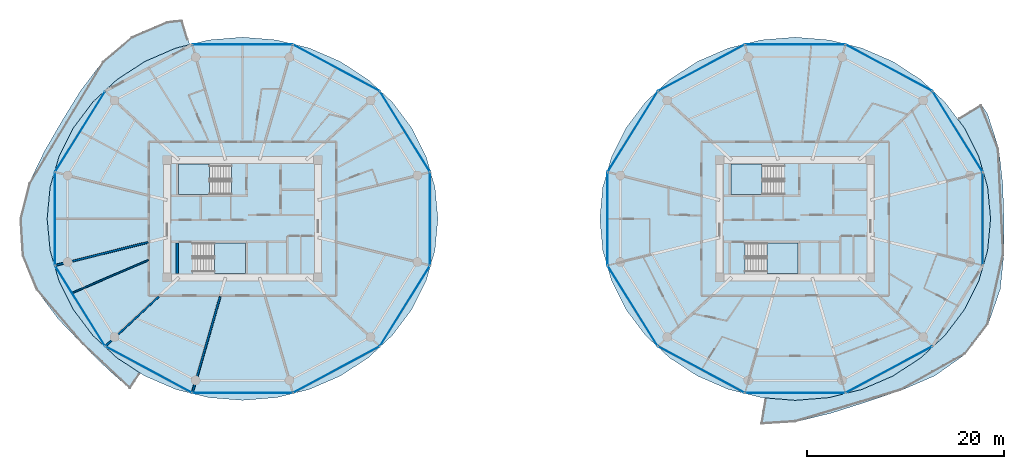
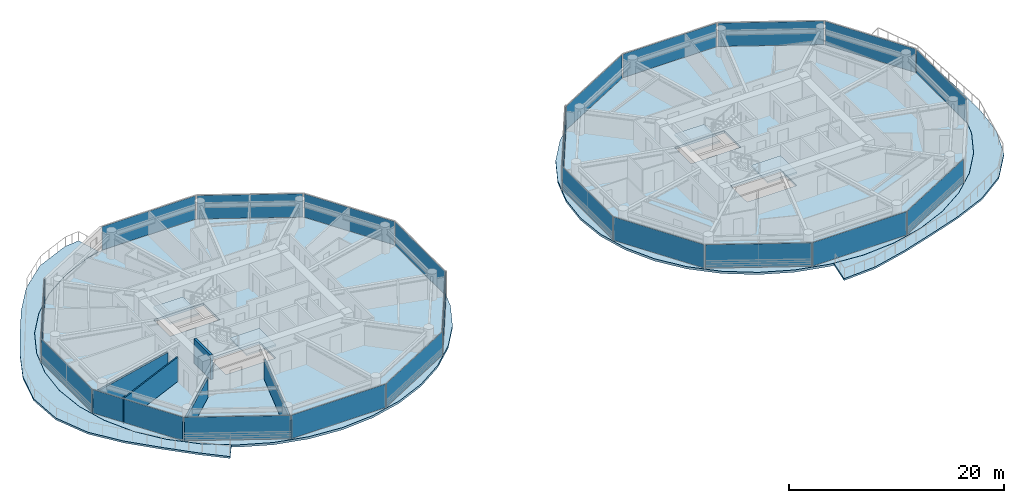
# One storey, part 14 of 27: 22 plates, 8 slabs, 5 walls, 26 elements without a shape of their own.
"""IFC4 building model written with IfcOpenShell, lengths in metres."""

import ifcopenshell
import ifcopenshell.guid

model = None  # the IFC model being written
_history = None  # IfcOwnerHistory: only IFC2X3 demands one
_inside = {}  # id of a spatial element -> (the spatial element, [elements in it])
_under = {}  # id of a project, library or spatial element -> (it, [spatial elements below it])
_declared = {}  # id of a project -> (the project, [libraries it declares])
_typed = {}  # id of a type object -> (the type object, [elements of that type])
_made_of = {}  # id of a material, layer set ... -> (it, [elements and type objects made of it])


def new_model(schema):
    """Start an empty IFC model of exactly this schema.

    Asked for "IFC4X3", IfcOpenShell would pick the latest addendum, in which some entities
    have other attributes; the version numbers below select the first issue.
    IFC2X3 requires an IfcOwnerHistory on every rooted entity: one is made here for all.
    """
    global model, _history
    if schema == "IFC4X3":
        model = ifcopenshell.file(schema_version=(4, 3, 0, 0))
    else:
        model = ifcopenshell.file(schema=schema)
    _inside.clear()
    _under.clear()
    _declared.clear()
    _typed.clear()
    _made_of.clear()
    _history = None
    if model.schema == "IFC2X3":
        org = make("IfcOrganization", Name="unknown")
        user = make(
            "IfcPersonAndOrganization",
            ThePerson=make("IfcPerson", FamilyName="unknown"),
            TheOrganization=org,
        )
        app = make(
            "IfcApplication",
            ApplicationDeveloper=org,
            Version="unknown",
            ApplicationFullName="unknown",
            ApplicationIdentifier="unknown",
        )
        _history = make(
            "IfcOwnerHistory",
            OwningUser=user,
            OwningApplication=app,
            ChangeAction="ADDED",
            CreationDate=0,
        )
    return model


def make(cls, **values):
    """One entity of the class cls with the attributes given. An attribute that is None is left unset."""
    return model.create_entity(
        cls, **{name: value for name, value in values.items() if value is not None}
    )


def rooted(cls, **values):
    """An entity with a GlobalId (a new one), such as an element, a storey or a relation."""
    return make(cls, GlobalId=ifcopenshell.guid.new(), OwnerHistory=_history, **values)


def si_unit(unit_type, name, prefix=None):
    """IfcSIUnit, for example si_unit("LENGTHUNIT", "METRE", prefix="MILLI")."""
    return make("IfcSIUnit", UnitType=unit_type, Prefix=prefix, Name=name)


def assignment(units):
    """IfcUnitAssignment: the units of a project."""
    return None if units is None else make("IfcUnitAssignment", Units=units)


def point(xyz):
    """IfcCartesianPoint."""
    return None if xyz is None else make("IfcCartesianPoint", Coordinates=xyz)


def direction(xyz):
    """IfcDirection."""
    return None if xyz is None else make("IfcDirection", DirectionRatios=xyz)


def frame(location, z_axis=None, x_axis=None):
    """IfcAxis2Placement3D, a coordinate frame: its origin and axes. An axis left out is left unset."""
    return make(
        "IfcAxis2Placement3D",
        Location=point(location),
        Axis=direction(z_axis),
        RefDirection=direction(x_axis),
    )


def frame_2d(location, x_axis=None):
    """IfcAxis2Placement2D, a coordinate frame in the plane: its origin and x axis."""
    return make(
        "IfcAxis2Placement2D", Location=point(location), RefDirection=direction(x_axis)
    )


def origin():
    """The frame at (0, 0, 0) with its axes left unset."""
    return frame((0.0, 0.0, 0.0))


def origin_2d():
    """The frame at (0, 0) in the plane with its x axis left unset."""
    return frame_2d((0.0, 0.0))


def place(relative_to, where):
    """IfcLocalPlacement: puts the frame where relative to a parent placement (None: the world)."""
    return make(
        "IfcLocalPlacement", PlacementRelTo=relative_to, RelativePlacement=where
    )


def context(
    kind, dimensions, precision=None, world=None, true_north=None, identifier=None
):
    """IfcGeometricRepresentationContext, for example the 3D "Model" context."""
    return make(
        "IfcGeometricRepresentationContext",
        ContextIdentifier=identifier,
        ContextType=kind,
        CoordinateSpaceDimension=dimensions,
        Precision=precision,
        WorldCoordinateSystem=world,
        TrueNorth=true_north,
    )


def subcontext(parent, identifier, kind, view, scale=None):
    """IfcGeometricRepresentationSubContext, for example "Body" below "Model"."""
    return make(
        "IfcGeometricRepresentationSubContext",
        ContextIdentifier=identifier,
        ContextType=kind,
        ParentContext=parent,
        TargetScale=scale,
        TargetView=view,
    )


def project(units=None, contexts=None):
    """IfcProject with its units and contexts."""
    return rooted(
        "IfcProject",
        Name="project",
        RepresentationContexts=contexts,
        UnitsInContext=assignment(units),
    )


def spatial(cls, under=None, at=None, **own):
    """A site, building, storey or space (cls), placed at a placement, below another one or the project."""
    s = rooted(cls, ObjectPlacement=at, **own)
    if under is not None:
        _under.setdefault(under.id(), (under, []))[1].append(s)
    return s


def polyline(points):
    """IfcPolyline through the points."""
    return make("IfcPolyline", Points=[point(p) for p in points])


def profile(cls, at=None, kind="AREA", **sizes):
    """A parametric profile (cls). Its sizes go by their IFC names, for example OverallWidth=200.0."""
    return make(cls, ProfileType=kind, Position=at, **sizes)


def rectangle(**sizes):
    """IfcRectangleProfileDef."""
    return profile("IfcRectangleProfileDef", **sizes)


def outline(outer, holes=None, kind="AREA"):
    """IfcArbitraryClosedProfileDef: a profile drawn as a closed curve; with holes, ...WithVoids."""
    if holes is None:
        return make("IfcArbitraryClosedProfileDef", ProfileType=kind, OuterCurve=outer)
    return make(
        "IfcArbitraryProfileDefWithVoids",
        ProfileType=kind,
        OuterCurve=outer,
        InnerCurves=holes,
    )


def extrude(swept, where, along, depth):
    """IfcExtrudedAreaSolid: the profile swept, set in the frame where, extruded along a direction by depth."""
    return make(
        "IfcExtrudedAreaSolid",
        SweptArea=swept,
        Position=where,
        ExtrudedDirection=direction(along),
        Depth=depth,
    )


def shape(context_of_items, identifier, shape_type, items):
    """IfcShapeRepresentation: the items that make up one representation, for example the "Body"."""
    return make(
        "IfcShapeRepresentation",
        ContextOfItems=context_of_items,
        RepresentationIdentifier=identifier,
        RepresentationType=shape_type,
        Items=items,
    )


def source(mapping_origin, context_of_items, identifier, shape_type, items):
    """IfcRepresentationMap: a shape defined once, which mapped items show again and again."""
    return make(
        "IfcRepresentationMap",
        MappingOrigin=mapping_origin,
        MappedRepresentation=shape(context_of_items, identifier, shape_type, items),
    )


def transform(
    local_origin,
    x_axis=None,
    y_axis=None,
    z_axis=None,
    scale=None,
    scale2=None,
    scale3=None,
    uniform=True,
):
    """IfcCartesianTransformationOperator3D, or its non-uniform kind. x_axis, y_axis, z_axis: its Axis1, 2, 3."""
    if uniform:
        return make(
            "IfcCartesianTransformationOperator3D",
            Axis1=direction(x_axis),
            Axis2=direction(y_axis),
            LocalOrigin=point(local_origin),
            Scale=scale,
            Axis3=direction(z_axis),
        )
    return make(
        "IfcCartesianTransformationOperator3DnonUniform",
        Axis1=direction(x_axis),
        Axis2=direction(y_axis),
        LocalOrigin=point(local_origin),
        Scale=scale,
        Axis3=direction(z_axis),
        Scale2=scale2,
        Scale3=scale3,
    )


def mapped(mapping_source, mapping_target):
    """IfcMappedItem: shows the shape of a source again, moved by a transform."""
    return make(
        "IfcMappedItem", MappingSource=mapping_source, MappingTarget=mapping_target
    )


def material(Name=None, Category=None):
    """IfcMaterial."""
    return make("IfcMaterial", Name=Name, Category=Category)


def layer(
    of_material, thickness, ventilated=None, Name=None, Category=None, Priority=None
):
    """IfcMaterialLayer: one layer of a wall or slab, of a material (None: an air gap)."""
    return make(
        "IfcMaterialLayer",
        Material=of_material,
        LayerThickness=thickness,
        IsVentilated=ventilated,
        Name=Name,
        Category=Category,
        Priority=Priority,
    )


def layer_set(layers, Name=None):
    """IfcMaterialLayerSet."""
    return make("IfcMaterialLayerSet", MaterialLayers=layers, LayerSetName=Name)


def made_of(thing, what):
    """Note that an element or type object is made of a material, layer set ...; save() writes the relation."""
    if what is not None:
        _made_of.setdefault(what.id(), (what, []))[1].append(thing)
    return thing


def type_object(cls, material=None, **own):
    """A type object (cls), such as IfcWallType, which elements share."""
    return made_of(rooted(cls, **own), material)


def type_shapes(of_type, sources):
    """Give a type object the sources (RepresentationMaps) that its elements show as mapped items."""
    of_type.RepresentationMaps = sources


def element(
    cls,
    number,
    at=None,
    inside=None,
    cuts=None,
    type_object=None,
    material=None,
    context=None,
    identifier="Body",
    shape_type=None,
    held_by="IfcProductDefinitionShape",
    body=None,
    shapes=None,
    **own,
):
    """One element of the class cls, such as IfcWall. Its Tag is "e" and its number.

    at: its placement. inside: the storey or other place that contains it. cuts: it is an
    opening in that element (IfcRelVoidsElement). A single representation is given by context,
    identifier, shape_type and body (its items); several are given by shapes. held_by: the class
    of the entity that holds the representations. save() writes the other relations.
    """
    e = rooted(cls, Tag="e%d" % number, ObjectPlacement=at, **own)
    if body is not None:
        shapes = [shape(context, identifier, shape_type, body)]
    if shapes is not None:
        e.Representation = make(held_by, Representations=shapes)
    if inside is not None:
        _inside.setdefault(inside.id(), (inside, []))[1].append(e)
    if cuts is not None:
        rooted(
            "IfcRelVoidsElement", RelatingBuildingElement=cuts, RelatedOpeningElement=e
        )
    if type_object is not None:
        _typed.setdefault(type_object.id(), (type_object, []))[1].append(e)
    return made_of(e, material)


def aggregate(whole, parts):
    """IfcRelAggregates: a whole, such as a stair, and the parts it consists of."""
    return rooted("IfcRelAggregates", RelatingObject=whole, RelatedObjects=parts)


def save(model, path):
    """Write the relations noted so far, then the file.

    IfcRelAggregates (storeys below a building ...), IfcRelContainedInSpatialStructure (elements
    in a storey), IfcRelDefinesByType, IfcRelAssociatesMaterial and IfcRelDeclares: one each for
    every whole, place, type object, material and project.
    """
    for whole, parts in _under.values():
        aggregate(whole, parts)
    for where, things in _inside.values():
        rooted(
            "IfcRelContainedInSpatialStructure",
            RelatedElements=things,
            RelatingStructure=where,
        )
    for kind, things in _typed.values():
        rooted("IfcRelDefinesByType", RelatedObjects=things, RelatingType=kind)
    for what, things in _made_of.values():
        rooted("IfcRelAssociatesMaterial", RelatedObjects=things, RelatingMaterial=what)
    for by, libraries in _declared.values():
        rooted("IfcRelDeclares", RelatingContext=by, RelatedDefinitions=libraries)
    model.write(path)


model = new_model("IFC4")

# Units and contexts
model_context = context("Model", 3, precision=1e-05, world=origin(), true_north=direction((0.0, 1.0)))
body_context = subcontext(model_context, "Body", "Model", "MODEL_VIEW")
ifc_project = project(units=[si_unit("LENGTHUNIT", "METRE"), si_unit("AREAUNIT", "SQUARE_METRE"), si_unit("VOLUMEUNIT", "CUBIC_METRE"), si_unit("PLANEANGLEUNIT", "RADIAN"), si_unit("MASSUNIT", "GRAM", prefix="KILO")], contexts=[model_context])

# Site, building, storey
site_placement = place(None, origin())
site = spatial("IfcSite", under=ifc_project, at=site_placement, CompositionType="ELEMENT")
building_placement = place(site_placement, origin())
building = spatial("IfcBuilding", under=site, at=building_placement, Name="Norrkilde Senior Care Towers", CompositionType="ELEMENT")
storey_placement = place(building_placement, frame((0.0, 0.0, 33.800048828125)))
storey = spatial("IfcBuildingStorey", under=building, at=storey_placement, Name="L09", CompositionType="ELEMENT", Elevation=33.800048828125)

# Slabs
ifc_material_1 = material(Name="Concrete C50/60", Category="concrete")
ifc_layer_1 = layer(ifc_material_1, 0.215087890625)
ifc_layer_set_1 = layer_set([ifc_layer_1], Name="Concrete C50/60")
slab_type_1 = type_object("IfcSlabType", Name="Sinusoidal Balcony Ribbon Slab 215", PredefinedType="FLOOR", material=ifc_layer_set_1)
slab_1_placement = place(storey_placement, frame((0.0, 0.0, -0.215087890625)))
element("IfcSlab", 1, at=slab_1_placement, inside=storey, type_object=slab_type_1, Name="L09 Drum W Swirling Senior Balcony 1", PredefinedType="FLOOR", context=body_context, shape_type="SweptSolid", body=[
    extrude(outline(polyline([(-44.19189453125, -12.752197265625), (-46.6845703125, -10.155029296875), (-48.90087890625, -7.192138671875), (-50.32568359375, -3.7314453125), (-50.552001953125, 0.0), (-49.64013671875, 3.601318359375), (-48.0654296875, 6.86474609375), (-46.297607421875, 9.91455078125), (-44.423095703125, 12.9609375), (-42.165283203125, 15.939453125), (-39.2392578125, 18.43115234375), (-35.676025390625, 19.963134765625), (-34.10693359375, 20.1416015625), (-33.351318359375, 17.649169921875), (-34.773681640625, 17.294921875), (-37.902587890625, 15.939208984375), (-40.73046875, 14.09912109375), (-43.171630859375, 11.83056640625), (-45.151611328125, 9.202392578125), (-46.610595703125, 6.294921875), (-47.504150390625, 3.196044921875), (-47.804931640625, 0.0), (-47.504150390625, -3.196044921875), (-46.610595703125, -6.294921875), (-45.151611328125, -9.202392578125), (-43.171630859375, -11.83056640625), (-40.73046875, -14.09912109375), (-38.34228515625, -15.653076171875), (-39.402587890625, -17.2578125), (-41.638916015625, -15.264404296875), (-44.19189453125, -12.752197265625)])), origin(), (0.0, 0.0, 1.0), 0.215087890625),
])
slab_2_placement = place(storey_placement, frame((0.0, 0.0, -0.215087890625)))
element("IfcSlab", 2, at=slab_2_placement, inside=storey, type_object=slab_type_1, Name="L09 Drum E Swirling Senior Balcony 1", PredefinedType="FLOOR", context=body_context, shape_type="SweptSolid", body=[
    extrude(outline(polyline([(47.5537109375, -10.695068359375), (45.261962890625, -13.71826171875), (42.149169921875, -15.9189453125), (38.689208984375, -17.406005859375), (35.205078125, -18.571044921875), (31.69482421875, -19.686279296875), (28.0, -20.60595703125), (24.51220703125, -20.826416015625), (24.958984375, -18.15771484375), (28.0, -18.405029296875), (31.439208984375, -18.12548828125), (34.773681640625, -17.294921875), (37.902587890625, -15.939208984375), (40.73046875, -14.09912109375), (43.171630859375, -11.83056640625), (45.151611328125, -9.202392578125), (46.610595703125, -6.294921875), (47.504150390625, -3.196044921875), (47.804931640625, 0.0), (47.504150390625, 3.196044921875), (46.610595703125, 6.294921875), (45.151611328125, 9.202392578125), (44.4658203125, 10.11279296875), (46.83935546875, 11.570556640625), (47.48486328125, 10.65234375), (48.635009765625, 7.087890625), (49.039306640625, 3.4873046875), (49.154296875, 0.0), (49.1611328125, -3.510498046875), (48.783447265625, -7.14599609375), (47.5537109375, -10.695068359375)])), origin(), (0.0, 0.0, 1.0), 0.215087890625),
])

# Stair, slab
ifc_material_2 = material(Name="Concrete C45/55", Category="concrete")
stair_type = type_object("IfcStairType", Name="Core Protected Dogleg Stair Typical 3050", PredefinedType="HALF_TURN_STAIR", material=ifc_material_2)
stair_1_placement = place(storey_placement, origin())
stair_1 = element("IfcStair", 3, at=stair_1_placement, inside=storey, type_object=stair_type, Name="L09 Protected Core Stair W1", PredefinedType="HALF_TURN_STAIR")
ifc_layer_2 = layer(ifc_material_2, 0.199951171875)
ifc_layer_set_2 = layer_set([ifc_layer_2], Name="Concrete C45/55")
slab_type_2 = type_object("IfcSlabType", Name="Stair Landing Slab 200", PredefinedType="LANDING", material=ifc_layer_set_2)
slab_3_placement = place(storey_placement, frame((0.0, 0.0, 1.324951171875)))
slab_3 = element("IfcSlab", 4, at=slab_3_placement, type_object=slab_type_2, Name="ST-W1 landing 1", PredefinedType="LANDING", context=body_context, shape_type="SweptSolid", body=[
    extrude(outline(polyline([(-31.340087890625, 5.52490234375), (-34.5, 5.52490234375), (-34.5, 2.449951171875), (-31.340087890625, 2.449951171875), (-31.340087890625, 5.52490234375)])), origin(), (0.0, 0.0, 1.0), 0.199951171875),
])
aggregate(stair_1, [slab_3])

stair_2_placement = place(storey_placement, origin())
stair_2 = element("IfcStair", 5, at=stair_2_placement, inside=storey, type_object=stair_type, Name="L09 Protected Core Stair W2", PredefinedType="HALF_TURN_STAIR")
slab_4_placement = place(storey_placement, frame((0.0, 0.0, 1.324951171875)))
slab_4 = element("IfcSlab", 6, at=slab_4_placement, type_object=slab_type_2, Name="ST-W2 landing 1", PredefinedType="LANDING", context=body_context, shape_type="SweptSolid", body=[
    extrude(outline(polyline([(-30.860107421875, -5.52490234375), (-27.699951171875, -5.52490234375), (-27.699951171875, -2.449951171875), (-30.860107421875, -2.449951171875), (-30.860107421875, -5.52490234375)])), origin(), (0.0, 0.0, 1.0), 0.199951171875),
])
aggregate(stair_2, [slab_4])

stair_3_placement = place(storey_placement, origin())
stair_3 = element("IfcStair", 7, at=stair_3_placement, inside=storey, type_object=stair_type, Name="L09 Protected Core Stair E1", PredefinedType="HALF_TURN_STAIR")
slab_5_placement = place(storey_placement, frame((0.0, 0.0, 1.324951171875)))
slab_5 = element("IfcSlab", 8, at=slab_5_placement, type_object=slab_type_2, Name="ST-E1 landing 1", PredefinedType="LANDING", context=body_context, shape_type="SweptSolid", body=[
    extrude(outline(polyline([(24.659912109375, 5.52490234375), (21.5, 5.52490234375), (21.5, 2.449951171875), (24.659912109375, 2.449951171875), (24.659912109375, 5.52490234375)])), origin(), (0.0, 0.0, 1.0), 0.199951171875),
])
aggregate(stair_3, [slab_5])

stair_4_placement = place(storey_placement, origin())
stair_4 = element("IfcStair", 9, at=stair_4_placement, inside=storey, type_object=stair_type, Name="L09 Protected Core Stair E2", PredefinedType="HALF_TURN_STAIR")
slab_6_placement = place(storey_placement, frame((0.0, 0.0, 1.324951171875)))
slab_6 = element("IfcSlab", 10, at=slab_6_placement, type_object=slab_type_2, Name="ST-E2 landing 1", PredefinedType="LANDING", context=body_context, shape_type="SweptSolid", body=[
    extrude(outline(polyline([(25.139892578125, -5.52490234375), (28.300048828125, -5.52490234375), (28.300048828125, -2.449951171875), (25.139892578125, -2.449951171875), (25.139892578125, -5.52490234375)])), origin(), (0.0, 0.0, 1.0), 0.199951171875),
])
aggregate(stair_4, [slab_6])

# Slabs
ifc_layer_3 = layer(ifc_material_1, 0.260009765625)
ifc_layer_set_3 = layer_set([ifc_layer_3], Name="Concrete C50/60")
slab_type_3 = type_object("IfcSlabType", Name="Tower Care Floor Slab 260", PredefinedType="FLOOR", material=ifc_layer_set_3)
slab_7_placement = place(storey_placement, frame((0.0, 0.0, -0.260009765625)))
element("IfcSlab", 11, at=slab_7_placement, inside=storey, type_object=slab_type_3, Name="L09 Drum W Structural Floor Slab", PredefinedType="FLOOR", context=body_context, shape_type="SweptSolid", body=[
    extrude(outline(polyline([(-9.39404296875, -6.293212890625), (-10.852783203125, -9.199951171875), (-12.832275390625, -11.827392578125), (-15.272705078125, -14.09521484375), (-18.10009765625, -15.934814453125), (-21.22802734375, -17.290283203125), (-24.561767578125, -18.120361328125), (-28.0, -18.39990234375), (-31.438232421875, -18.120361328125), (-34.77197265625, -17.290283203125), (-37.89990234375, -15.934814453125), (-40.727294921875, -14.09521484375), (-43.167724609375, -11.827392578125), (-45.147216796875, -9.199951171875), (-46.60595703125, -6.293212890625), (-47.499267578125, -3.195068359375), (-47.800048828125, 0.0), (-47.499267578125, 3.195068359375), (-46.60595703125, 6.293212890625), (-45.147216796875, 9.199951171875), (-43.167724609375, 11.827392578125), (-40.727294921875, 14.09521484375), (-37.89990234375, 15.934814453125), (-34.77197265625, 17.290283203125), (-31.438232421875, 18.120361328125), (-28.0, 18.39990234375), (-24.561767578125, 18.120361328125), (-21.22802734375, 17.290283203125), (-18.10009765625, 15.934814453125), (-15.272705078125, 14.09521484375), (-12.832275390625, 11.827392578125), (-10.852783203125, 9.199951171875), (-9.39404296875, 6.293212890625), (-8.500732421875, 3.195068359375), (-8.199951171875, 0.0), (-8.500732421875, -3.195068359375), (-9.39404296875, -6.293212890625)]), holes=[polyline([(-34.48193359375, 2.468017578125), (-29.117919921875, 2.468017578125), (-29.117919921875, 5.52490234375), (-34.48193359375, 5.52490234375), (-34.48193359375, 2.468017578125)]), polyline([(-27.718017578125, -5.52490234375), (-27.718017578125, -2.468017578125), (-33.08203125, -2.468017578125), (-33.08203125, -5.52490234375), (-27.718017578125, -5.52490234375)])]), origin(), (0.0, 0.0, 1.0), 0.260009765625),
])
slab_8_placement = place(storey_placement, frame((0.0, 0.0, -0.260009765625)))
element("IfcSlab", 12, at=slab_8_placement, inside=storey, type_object=slab_type_3, Name="L09 Drum E Structural Floor Slab", PredefinedType="FLOOR", context=body_context, shape_type="SweptSolid", body=[
    extrude(outline(polyline([(46.60595703125, -6.293212890625), (45.147216796875, -9.199951171875), (43.167724609375, -11.827392578125), (40.727294921875, -14.09521484375), (37.89990234375, -15.934814453125), (34.77197265625, -17.290283203125), (31.438232421875, -18.120361328125), (28.0, -18.39990234375), (24.561767578125, -18.120361328125), (21.22802734375, -17.290283203125), (18.10009765625, -15.934814453125), (15.272705078125, -14.09521484375), (12.832275390625, -11.827392578125), (10.852783203125, -9.199951171875), (9.39404296875, -6.293212890625), (8.500732421875, -3.195068359375), (8.199951171875, 0.0), (8.500732421875, 3.195068359375), (9.39404296875, 6.293212890625), (10.852783203125, 9.199951171875), (12.832275390625, 11.827392578125), (15.272705078125, 14.09521484375), (18.10009765625, 15.934814453125), (21.22802734375, 17.290283203125), (24.561767578125, 18.120361328125), (28.0, 18.39990234375), (31.438232421875, 18.120361328125), (34.77197265625, 17.290283203125), (37.89990234375, 15.934814453125), (40.727294921875, 14.09521484375), (43.167724609375, 11.827392578125), (45.147216796875, 9.199951171875), (46.60595703125, 6.293212890625), (47.499267578125, 3.195068359375), (47.800048828125, 0.0), (47.499267578125, -3.195068359375), (46.60595703125, -6.293212890625)]), holes=[polyline([(21.51806640625, 2.468017578125), (26.882080078125, 2.468017578125), (26.882080078125, 5.52490234375), (21.51806640625, 5.52490234375), (21.51806640625, 2.468017578125)]), polyline([(28.281982421875, -5.52490234375), (28.281982421875, -2.468017578125), (22.91796875, -2.468017578125), (22.91796875, -5.52490234375), (28.281982421875, -5.52490234375)])]), origin(), (0.0, 0.0, 1.0), 0.260009765625),
])

# Curtain wall, plate
ifc_material_3 = material(Name="Triple Low-E Insulated Glazing", Category="glass")
ifc_layer_4 = layer(ifc_material_3, 0.199951171875)
ifc_layer_set_4 = layer_set([ifc_layer_4], Name="Triple Low-E Insulated Glazing")
curtain_wall_type = type_object("IfcCurtainWallType", Name="CW2 Zone 1 Memory Care Curtain Wall", PredefinedType="NOTDEFINED", material=ifc_layer_set_4)
curtain_wall_1_placement = place(storey_placement, origin())
curtain_wall_1 = element("IfcCurtainWall", 13, at=curtain_wall_1_placement, inside=storey, type_object=curtain_wall_type, Name="L09 Drum W Curtain Wall 00", PredefinedType="NOTDEFINED")
ifc_layer_5 = layer(ifc_material_3, 0.035888671875)
ifc_layer_set_5 = layer_set([ifc_layer_5], Name="Triple Low-E Insulated Glazing")
plate_type = type_object("IfcPlateType", Name="Triple Low-E Vision Curtain Panel 36", PredefinedType="CURTAIN_PANEL", material=ifc_layer_set_5)
shared_shape_1 = source(origin(), body_context, "Body", "SweptSolid", [
    extrude(rectangle(XDim=9.518798828125, YDim=0.035888671875, at=origin_2d()), origin(), (0.0, 0.0, 1.0), 2.669921875),
])
plate_1_placement = place(storey_placement, frame((-11.537353515625, 8.82861328125, 0.06005859375), z_axis=(0.0, 0.0, 1.0), x_axis=(0.527900951871, -0.849305943117, 0.0)))
plate_1 = element("IfcPlate", 14, at=plate_1_placement, type_object=plate_type, Name="CW-2 panel 1.1", PredefinedType="CURTAIN_PANEL", context=body_context, shape_type="MappedRepresentation", body=[
    mapped(shared_shape_1, transform((0.0, 0.0, 0.0), x_axis=(1.0, 0.0, 0.0), y_axis=(0.0, 1.0, 0.0), z_axis=(0.0, 0.0, 1.0), scale=1.0)),
])
aggregate(curtain_wall_1, [plate_1])

curtain_wall_2_placement = place(storey_placement, origin())
curtain_wall_2 = element("IfcCurtainWall", 15, at=curtain_wall_2_placement, inside=storey, type_object=curtain_wall_type, Name="L09 Drum W Curtain Wall 04", PredefinedType="NOTDEFINED")
plate_2_placement = place(storey_placement, frame((-44.462646484375, 8.82861328125, 0.06005859375), z_axis=(0.0, 0.0, 1.0), x_axis=(0.527900951871, 0.849305943117, 0.0)))
plate_2 = element("IfcPlate", 16, at=plate_2_placement, type_object=plate_type, Name="CW-2 panel 1.1", PredefinedType="CURTAIN_PANEL", context=body_context, shape_type="MappedRepresentation", body=[
    mapped(shared_shape_1, transform((0.0, 0.0, 0.0), x_axis=(1.0, 0.0, 0.0), y_axis=(0.0, 1.0, 0.0), z_axis=(0.0, 0.0, 1.0), scale=1.0)),
])
aggregate(curtain_wall_2, [plate_2])

curtain_wall_3_placement = place(storey_placement, origin())
curtain_wall_3 = element("IfcCurtainWall", 17, at=curtain_wall_3_placement, inside=storey, type_object=curtain_wall_type, Name="L09 Drum W Curtain Wall 06", PredefinedType="NOTDEFINED")
plate_3_placement = place(storey_placement, frame((-44.462646484375, -8.82861328125, 0.06005859375), z_axis=(0.0, 0.0, 1.0), x_axis=(-0.527900951871, 0.849305943117, 0.0)))
plate_3 = element("IfcPlate", 18, at=plate_3_placement, type_object=plate_type, Name="CW-2 panel 1.1", PredefinedType="CURTAIN_PANEL", context=body_context, shape_type="MappedRepresentation", body=[
    mapped(shared_shape_1, transform((0.0, 0.0, 0.0), x_axis=(1.0, 0.0, 0.0), y_axis=(0.0, 1.0, 0.0), z_axis=(0.0, 0.0, 1.0), scale=1.0)),
])
aggregate(curtain_wall_3, [plate_3])

curtain_wall_4_placement = place(storey_placement, origin())
curtain_wall_4 = element("IfcCurtainWall", 19, at=curtain_wall_4_placement, inside=storey, type_object=curtain_wall_type, Name="L09 Drum W Curtain Wall 10", PredefinedType="NOTDEFINED")
plate_4_placement = place(storey_placement, frame((-11.537353515625, -8.82861328125, 0.06005859375), z_axis=(0.0, 0.0, 1.0), x_axis=(-0.527900951871, -0.849305943117, 0.0)))
plate_4 = element("IfcPlate", 20, at=plate_4_placement, type_object=plate_type, Name="CW-2 panel 1.1", PredefinedType="CURTAIN_PANEL", context=body_context, shape_type="MappedRepresentation", body=[
    mapped(shared_shape_1, transform((0.0, 0.0, 0.0), x_axis=(1.0, 0.0, 0.0), y_axis=(0.0, 1.0, 0.0), z_axis=(0.0, 0.0, 1.0), scale=1.0)),
])
aggregate(curtain_wall_4, [plate_4])

curtain_wall_5_placement = place(storey_placement, origin())
curtain_wall_5 = element("IfcCurtainWall", 21, at=curtain_wall_5_placement, inside=storey, type_object=curtain_wall_type, Name="L09 Drum E Curtain Wall 00", PredefinedType="NOTDEFINED")
plate_5_placement = place(storey_placement, frame((44.462646484375, 8.82861328125, 0.06005859375), z_axis=(0.0, 0.0, 1.0), x_axis=(0.527900951871, -0.849305943117, 0.0)))
plate_5 = element("IfcPlate", 22, at=plate_5_placement, type_object=plate_type, Name="CW-2 panel 1.1", PredefinedType="CURTAIN_PANEL", context=body_context, shape_type="MappedRepresentation", body=[
    mapped(shared_shape_1, transform((0.0, 0.0, 0.0), x_axis=(1.0, 0.0, 0.0), y_axis=(0.0, 1.0, 0.0), z_axis=(0.0, 0.0, 1.0), scale=1.0)),
])
aggregate(curtain_wall_5, [plate_5])

curtain_wall_6_placement = place(storey_placement, origin())
curtain_wall_6 = element("IfcCurtainWall", 23, at=curtain_wall_6_placement, inside=storey, type_object=curtain_wall_type, Name="L09 Drum E Curtain Wall 04", PredefinedType="NOTDEFINED")
plate_6_placement = place(storey_placement, frame((11.537353515625, 8.82861328125, 0.06005859375), z_axis=(0.0, 0.0, 1.0), x_axis=(0.527900951871, 0.849305943117, 0.0)))
plate_6 = element("IfcPlate", 24, at=plate_6_placement, type_object=plate_type, Name="CW-2 panel 1.1", PredefinedType="CURTAIN_PANEL", context=body_context, shape_type="MappedRepresentation", body=[
    mapped(shared_shape_1, transform((0.0, 0.0, 0.0), x_axis=(1.0, 0.0, 0.0), y_axis=(0.0, 1.0, 0.0), z_axis=(0.0, 0.0, 1.0), scale=1.0)),
])
aggregate(curtain_wall_6, [plate_6])

curtain_wall_7_placement = place(storey_placement, origin())
curtain_wall_7 = element("IfcCurtainWall", 25, at=curtain_wall_7_placement, inside=storey, type_object=curtain_wall_type, Name="L09 Drum E Curtain Wall 06", PredefinedType="NOTDEFINED")
plate_7_placement = place(storey_placement, frame((11.537353515625, -8.82861328125, 0.06005859375), z_axis=(0.0, 0.0, 1.0), x_axis=(-0.527900951871, 0.849305943117, 0.0)))
plate_7 = element("IfcPlate", 26, at=plate_7_placement, type_object=plate_type, Name="CW-2 panel 1.1", PredefinedType="CURTAIN_PANEL", context=body_context, shape_type="MappedRepresentation", body=[
    mapped(shared_shape_1, transform((0.0, 0.0, 0.0), x_axis=(1.0, 0.0, 0.0), y_axis=(0.0, 1.0, 0.0), z_axis=(0.0, 0.0, 1.0), scale=1.0)),
])
aggregate(curtain_wall_7, [plate_7])

curtain_wall_8_placement = place(storey_placement, origin())
curtain_wall_8 = element("IfcCurtainWall", 27, at=curtain_wall_8_placement, inside=storey, type_object=curtain_wall_type, Name="L09 Drum W Curtain Wall 01", PredefinedType="NOTDEFINED")
shared_shape_2 = source(origin(), body_context, "Body", "SweptSolid", [
    extrude(rectangle(XDim=9.880859375, YDim=0.035888671875, at=origin_2d()), origin(), (0.0, 0.0, 1.0), 2.669921875),
])
plate_8_placement = place(storey_placement, frame((-18.495361328125, 15.29150390625, 0.06005859375), z_axis=(0.0, 0.0, 1.0), x_axis=(0.881272866403, -0.472607802456, 0.0)))
plate_8 = element("IfcPlate", 28, at=plate_8_placement, type_object=plate_type, Name="CW-2 panel 1.1", PredefinedType="CURTAIN_PANEL", context=body_context, shape_type="MappedRepresentation", body=[
    mapped(shared_shape_2, transform((0.0, 0.0, 0.0), x_axis=(1.0, 0.0, 0.0), y_axis=(0.0, 1.0, 0.0), z_axis=(0.0, 0.0, 1.0), scale=1.0)),
])
aggregate(curtain_wall_8, [plate_8])

curtain_wall_9_placement = place(storey_placement, origin())
curtain_wall_9 = element("IfcCurtainWall", 29, at=curtain_wall_9_placement, inside=storey, type_object=curtain_wall_type, Name="L09 Drum W Curtain Wall 07", PredefinedType="NOTDEFINED")
plate_9_placement = place(storey_placement, frame((-37.504638671875, -15.29150390625, 0.06005859375), z_axis=(0.0, 0.0, 1.0), x_axis=(-0.881272866403, 0.472607802456, 0.0)))
plate_9 = element("IfcPlate", 30, at=plate_9_placement, type_object=plate_type, Name="CW-2 panel 1.1", PredefinedType="CURTAIN_PANEL", context=body_context, shape_type="MappedRepresentation", body=[
    mapped(shared_shape_2, transform((0.0, 0.0, 0.0), x_axis=(1.0, 0.0, 0.0), y_axis=(0.0, 1.0, 0.0), z_axis=(0.0, 0.0, 1.0), scale=1.0)),
])
aggregate(curtain_wall_9, [plate_9])

curtain_wall_10_placement = place(storey_placement, origin())
curtain_wall_10 = element("IfcCurtainWall", 31, at=curtain_wall_10_placement, inside=storey, type_object=curtain_wall_type, Name="L09 Drum W Curtain Wall 09", PredefinedType="NOTDEFINED")
plate_10_placement = place(storey_placement, frame((-18.495361328125, -15.29150390625, 0.06005859375), z_axis=(0.0, 0.0, 1.0), x_axis=(-0.881272866403, -0.472607802456, 0.0)))
plate_10 = element("IfcPlate", 32, at=plate_10_placement, type_object=plate_type, Name="CW-2 panel 1.1", PredefinedType="CURTAIN_PANEL", context=body_context, shape_type="MappedRepresentation", body=[
    mapped(shared_shape_2, transform((0.0, 0.0, 0.0), x_axis=(1.0, 0.0, 0.0), y_axis=(0.0, 1.0, 0.0), z_axis=(0.0, 0.0, 1.0), scale=1.0)),
])
aggregate(curtain_wall_10, [plate_10])

curtain_wall_11_placement = place(storey_placement, origin())
curtain_wall_11 = element("IfcCurtainWall", 33, at=curtain_wall_11_placement, inside=storey, type_object=curtain_wall_type, Name="L09 Drum E Curtain Wall 01", PredefinedType="NOTDEFINED")
plate_11_placement = place(storey_placement, frame((37.504638671875, 15.29150390625, 0.06005859375), z_axis=(0.0, 0.0, 1.0), x_axis=(0.881272866403, -0.472607802456, 0.0)))
plate_11 = element("IfcPlate", 34, at=plate_11_placement, type_object=plate_type, Name="CW-2 panel 1.1", PredefinedType="CURTAIN_PANEL", context=body_context, shape_type="MappedRepresentation", body=[
    mapped(shared_shape_2, transform((0.0, 0.0, 0.0), x_axis=(1.0, 0.0, 0.0), y_axis=(0.0, 1.0, 0.0), z_axis=(0.0, 0.0, 1.0), scale=1.0)),
])
aggregate(curtain_wall_11, [plate_11])

curtain_wall_12_placement = place(storey_placement, origin())
curtain_wall_12 = element("IfcCurtainWall", 35, at=curtain_wall_12_placement, inside=storey, type_object=curtain_wall_type, Name="L09 Drum E Curtain Wall 03", PredefinedType="NOTDEFINED")
plate_12_placement = place(storey_placement, frame((18.495361328125, 15.29150390625, 0.06005859375), z_axis=(0.0, 0.0, 1.0), x_axis=(0.881272866403, 0.472607802456, 0.0)))
plate_12 = element("IfcPlate", 36, at=plate_12_placement, type_object=plate_type, Name="CW-2 panel 1.1", PredefinedType="CURTAIN_PANEL", context=body_context, shape_type="MappedRepresentation", body=[
    mapped(shared_shape_2, transform((0.0, 0.0, 0.0), x_axis=(1.0, 0.0, 0.0), y_axis=(0.0, 1.0, 0.0), z_axis=(0.0, 0.0, 1.0), scale=1.0)),
])
aggregate(curtain_wall_12, [plate_12])

curtain_wall_13_placement = place(storey_placement, origin())
curtain_wall_13 = element("IfcCurtainWall", 37, at=curtain_wall_13_placement, inside=storey, type_object=curtain_wall_type, Name="L09 Drum E Curtain Wall 07", PredefinedType="NOTDEFINED")
plate_13_placement = place(storey_placement, frame((18.495361328125, -15.29150390625, 0.06005859375), z_axis=(0.0, 0.0, 1.0), x_axis=(-0.881272866403, 0.472607802456, 0.0)))
plate_13 = element("IfcPlate", 38, at=plate_13_placement, type_object=plate_type, Name="CW-2 panel 1.1", PredefinedType="CURTAIN_PANEL", context=body_context, shape_type="MappedRepresentation", body=[
    mapped(shared_shape_2, transform((0.0, 0.0, 0.0), x_axis=(1.0, 0.0, 0.0), y_axis=(0.0, 1.0, 0.0), z_axis=(0.0, 0.0, 1.0), scale=1.0)),
])
aggregate(curtain_wall_13, [plate_13])

curtain_wall_14_placement = place(storey_placement, origin())
curtain_wall_14 = element("IfcCurtainWall", 39, at=curtain_wall_14_placement, inside=storey, type_object=curtain_wall_type, Name="L09 Drum E Curtain Wall 09", PredefinedType="NOTDEFINED")
plate_14_placement = place(storey_placement, frame((37.504638671875, -15.29150390625, 0.06005859375), z_axis=(0.0, 0.0, 1.0), x_axis=(-0.881272866403, -0.472607802456, 0.0)))
plate_14 = element("IfcPlate", 40, at=plate_14_placement, type_object=plate_type, Name="CW-2 panel 1.1", PredefinedType="CURTAIN_PANEL", context=body_context, shape_type="MappedRepresentation", body=[
    mapped(shared_shape_2, transform((0.0, 0.0, 0.0), x_axis=(1.0, 0.0, 0.0), y_axis=(0.0, 1.0, 0.0), z_axis=(0.0, 0.0, 1.0), scale=1.0)),
])
aggregate(curtain_wall_14, [plate_14])

curtain_wall_15_placement = place(storey_placement, origin())
curtain_wall_15 = element("IfcCurtainWall", 41, at=curtain_wall_15_placement, inside=storey, type_object=curtain_wall_type, Name="L09 Drum W Curtain Wall 05", PredefinedType="NOTDEFINED")
shared_shape_3 = source(origin(), body_context, "Body", "SweptSolid", [
    extrude(rectangle(XDim=9.33251953125, YDim=0.035888671875, at=origin_2d()), origin(), (0.0, 0.0, 1.0), 2.669921875),
])
plate_15_placement = place(storey_placement, frame((-47.009521484375, 0.0, 0.06005859375), z_axis=(0.0, 0.0, 1.0), x_axis=(0.0, 1.0, 0.0)))
plate_15 = element("IfcPlate", 42, at=plate_15_placement, type_object=plate_type, Name="CW-2 panel 1.1", PredefinedType="CURTAIN_PANEL", context=body_context, shape_type="MappedRepresentation", body=[
    mapped(shared_shape_3, transform((0.0, 0.0, 0.0), x_axis=(1.0, 0.0, 0.0), y_axis=(0.0, 1.0, 0.0), z_axis=(0.0, 0.0, 1.0), scale=1.0)),
])
aggregate(curtain_wall_15, [plate_15])

curtain_wall_16_placement = place(storey_placement, origin())
curtain_wall_16 = element("IfcCurtainWall", 43, at=curtain_wall_16_placement, inside=storey, type_object=curtain_wall_type, Name="L09 Drum W Curtain Wall 11", PredefinedType="NOTDEFINED")
plate_16_placement = place(storey_placement, frame((-8.990478515625, 0.0, 0.06005859375), z_axis=(0.0, 0.0, 1.0), x_axis=(0.0, -1.0, 0.0)))
plate_16 = element("IfcPlate", 44, at=plate_16_placement, type_object=plate_type, Name="CW-2 panel 1.1", PredefinedType="CURTAIN_PANEL", context=body_context, shape_type="MappedRepresentation", body=[
    mapped(shared_shape_3, transform((0.0, 0.0, 0.0), x_axis=(1.0, 0.0, 0.0), y_axis=(0.0, 1.0, 0.0), z_axis=(0.0, 0.0, 1.0), scale=1.0)),
])
aggregate(curtain_wall_16, [plate_16])

curtain_wall_17_placement = place(storey_placement, origin())
curtain_wall_17 = element("IfcCurtainWall", 45, at=curtain_wall_17_placement, inside=storey, type_object=curtain_wall_type, Name="L09 Drum E Curtain Wall 05", PredefinedType="NOTDEFINED")
plate_17_placement = place(storey_placement, frame((8.990478515625, 0.0, 0.06005859375), z_axis=(0.0, 0.0, 1.0), x_axis=(0.0, 1.0, 0.0)))
plate_17 = element("IfcPlate", 46, at=plate_17_placement, type_object=plate_type, Name="CW-2 panel 1.1", PredefinedType="CURTAIN_PANEL", context=body_context, shape_type="MappedRepresentation", body=[
    mapped(shared_shape_3, transform((0.0, 0.0, 0.0), x_axis=(1.0, 0.0, 0.0), y_axis=(0.0, 1.0, 0.0), z_axis=(0.0, 0.0, 1.0), scale=1.0)),
])
aggregate(curtain_wall_17, [plate_17])

curtain_wall_18_placement = place(storey_placement, origin())
curtain_wall_18 = element("IfcCurtainWall", 47, at=curtain_wall_18_placement, inside=storey, type_object=curtain_wall_type, Name="L09 Drum E Curtain Wall 11", PredefinedType="NOTDEFINED")
plate_18_placement = place(storey_placement, frame((47.009521484375, 0.0, 0.06005859375), z_axis=(0.0, 0.0, 1.0), x_axis=(0.0, -1.0, 0.0)))
plate_18 = element("IfcPlate", 48, at=plate_18_placement, type_object=plate_type, Name="CW-2 panel 1.1", PredefinedType="CURTAIN_PANEL", context=body_context, shape_type="MappedRepresentation", body=[
    mapped(shared_shape_3, transform((0.0, 0.0, 0.0), x_axis=(1.0, 0.0, 0.0), y_axis=(0.0, 1.0, 0.0), z_axis=(0.0, 0.0, 1.0), scale=1.0)),
])
aggregate(curtain_wall_18, [plate_18])

curtain_wall_19_placement = place(storey_placement, origin())
curtain_wall_19 = element("IfcCurtainWall", 49, at=curtain_wall_19_placement, inside=storey, type_object=curtain_wall_type, Name="L09 Drum W Curtain Wall 02", PredefinedType="NOTDEFINED")
shared_shape_4 = source(origin(), body_context, "Body", "SweptSolid", [
    extrude(rectangle(XDim=10.05712890625, YDim=0.035888671875, at=origin_2d()), origin(), (0.0, 0.0, 1.0), 2.669921875),
])
type_shapes(plate_type, [shared_shape_1, shared_shape_2, shared_shape_3, shared_shape_4])
plate_19_placement = place(storey_placement, frame((-28.0, 17.6572265625, 0.06005859375), z_axis=(0.0, 0.0, 1.0), x_axis=(1.0, 0.0, 0.0)))
plate_19 = element("IfcPlate", 50, at=plate_19_placement, type_object=plate_type, Name="CW-2 panel 1.1", PredefinedType="CURTAIN_PANEL", context=body_context, shape_type="MappedRepresentation", body=[
    mapped(shared_shape_4, transform((0.0, 0.0, 0.0), x_axis=(1.0, 0.0, 0.0), y_axis=(0.0, 1.0, 0.0), z_axis=(0.0, 0.0, 1.0), scale=1.0)),
])
aggregate(curtain_wall_19, [plate_19])

curtain_wall_20_placement = place(storey_placement, origin())
curtain_wall_20 = element("IfcCurtainWall", 51, at=curtain_wall_20_placement, inside=storey, type_object=curtain_wall_type, Name="L09 Drum W Curtain Wall 08", PredefinedType="NOTDEFINED")
plate_20_placement = place(storey_placement, frame((-28.0, -17.6572265625, 0.06005859375), z_axis=(0.0, 0.0, 1.0), x_axis=(-1.0, 0.0, 0.0)))
plate_20 = element("IfcPlate", 52, at=plate_20_placement, type_object=plate_type, Name="CW-2 panel 1.1", PredefinedType="CURTAIN_PANEL", context=body_context, shape_type="MappedRepresentation", body=[
    mapped(shared_shape_4, transform((0.0, 0.0, 0.0), x_axis=(1.0, 0.0, 0.0), y_axis=(0.0, 1.0, 0.0), z_axis=(0.0, 0.0, 1.0), scale=1.0)),
])
aggregate(curtain_wall_20, [plate_20])

curtain_wall_21_placement = place(storey_placement, origin())
curtain_wall_21 = element("IfcCurtainWall", 53, at=curtain_wall_21_placement, inside=storey, type_object=curtain_wall_type, Name="L09 Drum E Curtain Wall 02", PredefinedType="NOTDEFINED")
plate_21_placement = place(storey_placement, frame((28.0, 17.6572265625, 0.06005859375), z_axis=(0.0, 0.0, 1.0), x_axis=(1.0, 0.0, 0.0)))
plate_21 = element("IfcPlate", 54, at=plate_21_placement, type_object=plate_type, Name="CW-2 panel 1.1", PredefinedType="CURTAIN_PANEL", context=body_context, shape_type="MappedRepresentation", body=[
    mapped(shared_shape_4, transform((0.0, 0.0, 0.0), x_axis=(1.0, 0.0, 0.0), y_axis=(0.0, 1.0, 0.0), z_axis=(0.0, 0.0, 1.0), scale=1.0)),
])
aggregate(curtain_wall_21, [plate_21])

curtain_wall_22_placement = place(storey_placement, origin())
curtain_wall_22 = element("IfcCurtainWall", 55, at=curtain_wall_22_placement, inside=storey, type_object=curtain_wall_type, Name="L09 Drum E Curtain Wall 08", PredefinedType="NOTDEFINED")
plate_22_placement = place(storey_placement, frame((28.0, -17.6572265625, 0.06005859375), z_axis=(0.0, 0.0, 1.0), x_axis=(-1.0, 0.0, 0.0)))
plate_22 = element("IfcPlate", 56, at=plate_22_placement, type_object=plate_type, Name="CW-2 panel 1.1", PredefinedType="CURTAIN_PANEL", context=body_context, shape_type="MappedRepresentation", body=[
    mapped(shared_shape_4, transform((0.0, 0.0, 0.0), x_axis=(1.0, 0.0, 0.0), y_axis=(0.0, 1.0, 0.0), z_axis=(0.0, 0.0, 1.0), scale=1.0)),
])
aggregate(curtain_wall_22, [plate_22])

# Walls
ifc_material_4 = material(Name="Gypsum Acoustic Board")
ifc_layer_6 = layer(ifc_material_4, 0.18994140625)
ifc_layer_set_6 = layer_set([ifc_layer_6], Name="Gypsum Acoustic Board")
wall_type_1 = type_object("IfcWallType", Name="Unit Demising Acoustic Wall 190", PredefinedType="PARTITIONING", material=ifc_layer_set_6)
shared_shape_5 = source(origin(), body_context, "Body", "SweptSolid", [
    extrude(rectangle(XDim=7.4345703125, YDim=0.18994140625, at=frame_2d((3.71728515625, 0.0))), origin(), (0.0, 0.0, 1.0), 2.224853515625),
])
wall_1_placement = place(storey_placement, frame((-36.48291015625, -7.8798828125, 0.0), z_axis=(0.0, 0.0, 1.0), x_axis=(-0.732651956848, -0.680603489652, 0.0)))
element("IfcWall", 57, at=wall_1_placement, inside=storey, type_object=wall_type_1, Name="WL-INT-L09-W-DEM-07-0", PredefinedType="PARTITIONING", context=body_context, shape_type="MappedRepresentation", body=[
    mapped(shared_shape_5, transform((0.0, 0.0, 0.0), x_axis=(1.0, 0.0, 0.0), y_axis=(0.0, 1.0, 0.0), z_axis=(0.0, 0.0, 1.0), scale=1.0)),
])
shared_shape_6 = source(origin(), body_context, "Body", "SweptSolid", [
    extrude(rectangle(XDim=10.196044921875, YDim=0.18994140625, at=frame_2d((5.09814453125, 0.0))), origin(), (0.0, 0.0, 1.0), 2.224853515625),
])
wall_2_placement = place(storey_placement, frame((-30.27294921875, -7.8798828125, 0.0), z_axis=(0.0, 0.0, 1.0), x_axis=(-0.277136420347, -0.960830580549, 0.0)))
element("IfcWall", 58, at=wall_2_placement, inside=storey, type_object=wall_type_1, Name="WL-INT-L09-W-DEM-08-0", PredefinedType="PARTITIONING", context=body_context, shape_type="MappedRepresentation", body=[
    mapped(shared_shape_6, transform((0.0, 0.0, 0.0), x_axis=(1.0, 0.0, 0.0), y_axis=(0.0, 1.0, 0.0), z_axis=(0.0, 0.0, 1.0), scale=1.0)),
])
shared_shape_7 = source(origin(), body_context, "Body", "SweptSolid", [
    extrude(rectangle(XDim=9.737060546875, YDim=0.18994140625, at=frame_2d((4.86865234375, 0.0))), origin(), (0.0, 0.0, 1.0), 2.224853515625),
])
type_shapes(wall_type_1, [shared_shape_5, shared_shape_6, shared_shape_7])
wall_3_placement = place(storey_placement, frame((-37.580078125, -2.384521484375, 0.0), z_axis=(0.0, 0.0, 1.0), x_axis=(-0.970392716238, -0.241532557375, 0.0)))
element("IfcWall", 59, at=wall_3_placement, inside=storey, type_object=wall_type_1, Name="WL-INT-L09-W-DEM-06-0", PredefinedType="PARTITIONING", context=body_context, shape_type="MappedRepresentation", body=[
    mapped(shared_shape_7, transform((0.0, 0.0, 0.0), x_axis=(1.0, 0.0, 0.0), y_axis=(0.0, 1.0, 0.0), z_axis=(0.0, 0.0, 1.0), scale=1.0)),
])
ifc_layer_7 = layer(ifc_material_2, 0.239990234375)
ifc_layer_set_7 = layer_set([ifc_layer_7], Name="Concrete C45/55")
wall_type_2 = type_object("IfcWallType", Name="Shaft and Stair Enclosure Wall 240", PredefinedType="PARTITIONING", material=ifc_layer_set_7)
shared_shape_8 = source(origin(), body_context, "Body", "SweptSolid", [
    extrude(rectangle(XDim=3.074951171875, YDim=0.239990234375, at=frame_2d((1.53759765625, 0.0))), origin(), (0.0, 0.0, 1.0), 2.7900390625),
])
type_shapes(wall_type_2, [shared_shape_8])
wall_4_placement = place(storey_placement, frame((-34.6201171875, -5.52490234375, 0.0), z_axis=(0.0, 0.0, 1.0), x_axis=(0.0, 1.0, 0.0)))
element("IfcWall", 60, at=wall_4_placement, inside=storey, type_object=wall_type_2, Name="WL-INT-L09-W-ST2W", PredefinedType="PARTITIONING", context=body_context, shape_type="MappedRepresentation", body=[
    mapped(shared_shape_8, transform((0.0, 0.0, 0.0), x_axis=(1.0, 0.0, 0.0), y_axis=(0.0, 1.0, 0.0), z_axis=(0.0, 0.0, 1.0), scale=1.0)),
])
ifc_layer_8 = layer(ifc_material_4, 0.139892578125)
ifc_layer_set_8 = layer_set([ifc_layer_8], Name="Gypsum Acoustic Board")
wall_type_3 = type_object("IfcWallType", Name="En-suite Wet Room Wall 140", PredefinedType="PARTITIONING", material=ifc_layer_set_8)
shared_shape_9 = source(origin(), body_context, "Body", "SweptSolid", [
    extrude(rectangle(XDim=8.4521484375, YDim=0.139892578125, at=frame_2d((4.22607421875, 0.0))), origin(), (0.0, 0.0, 1.0), 2.77490234375),
])
type_shapes(wall_type_3, [shared_shape_9])
wall_5_placement = place(storey_placement, frame((-37.530029296875, -4.1875, 0.0), z_axis=(0.0, 0.0, 1.0), x_axis=(-0.918706709896, -0.394940478036, 0.0)))
element("IfcWall", 61, at=wall_5_placement, inside=storey, type_object=wall_type_3, Name="WL-INT-L09-W-MID-06", PredefinedType="PARTITIONING", context=body_context, shape_type="MappedRepresentation", body=[
    mapped(shared_shape_9, transform((0.0, 0.0, 0.0), x_axis=(1.0, 0.0, 0.0), y_axis=(0.0, 1.0, 0.0), z_axis=(0.0, 0.0, 1.0), scale=1.0)),
])

save(model, "model.ifc")
